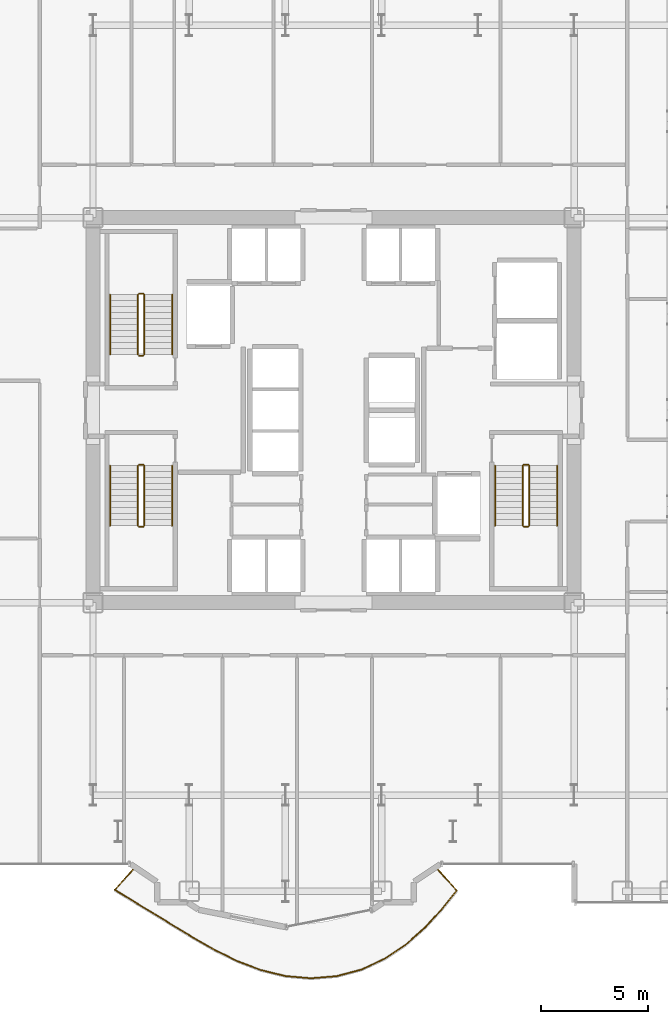
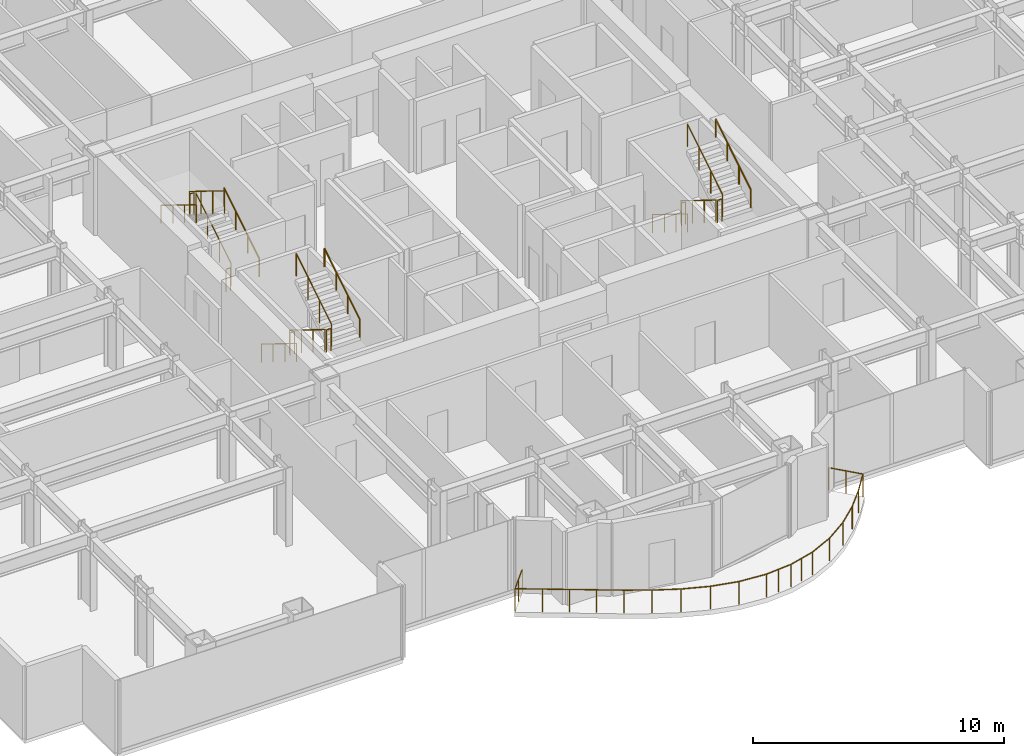
# One storey, part 28 of 29: 19 railings.
"""IFC4 building model written with IfcOpenShell, lengths in metres."""

from ifc_helpers import new_model, si_unit, direction, frame, origin, origin_2d, place, context, subcontext, project, spatial, circle, extrude, material, type_object, element, save


model = new_model("IFC4")

# Units and contexts
model_context = context("Model", 3, precision=1e-05, world=origin(), true_north=direction((0.0, 1.0)))
body_context = subcontext(model_context, "Body", "Model", "MODEL_VIEW")
ifc_project = project(units=[si_unit("LENGTHUNIT", "METRE"), si_unit("AREAUNIT", "SQUARE_METRE"), si_unit("VOLUMEUNIT", "CUBIC_METRE"), si_unit("PLANEANGLEUNIT", "RADIAN"), si_unit("MASSUNIT", "GRAM", prefix="KILO")], contexts=[model_context])

# Site, building, storey
site_placement = place(None, origin())
site = spatial("IfcSite", under=ifc_project, at=site_placement, CompositionType="ELEMENT")
building_placement = place(site_placement, origin())
building = spatial("IfcBuilding", under=site, at=building_placement, Name="Nefas-Gora Pilgrimage Tower", CompositionType="ELEMENT")
storey_placement = place(building_placement, frame((0.0, 0.0, 55.800048828125)))
storey = spatial("IfcBuildingStorey", under=building, at=storey_placement, Name="L12", CompositionType="ELEMENT", Elevation=55.800048828125)

# Railings
ifc_material_1 = material(Name="Laminated safety glass and stainless steel", Category="steel")
railing_type_1 = type_object("IfcRailingType", Name="RLG-BAL-1100", PredefinedType="BALUSTRADE", material=ifc_material_1)
railing_1_placement = place(storey_placement, frame((-9.302490234375, -21.402587890625, 0.0)))
element("IfcRailing", 1, at=railing_1_placement, inside=storey, type_object=railing_type_1, Name="L12 Wave Balcony Balustrade S2", PredefinedType="BALUSTRADE", context=body_context, shape_type="SweptSolid", body=[
    extrude(circle(Radius=0.02392578125, at=origin_2d()), frame((0.0, 0.0, 1.09619140625), z_axis=(-0.669217868333, -0.743066245165, 0.0), x_axis=(0.743066245165, -0.669217868333, 0.0)), (0.0, 0.0, 1.0), 1.38525390625),
    extrude(circle(Radius=0.02392578125, at=origin_2d()), frame((-0.927001953125, -1.029296875, 1.09619140625), z_axis=(0.852658885571, -0.522468013238, 0.0), x_axis=(0.522468013238, 0.852658885571, 0.0)), (0.0, 0.0, 1.0), 1.095703125),
    extrude(circle(Radius=0.02392578125, at=origin_2d()), frame((0.00732421875, -1.601806640625, 1.09619140625), z_axis=(0.855124780813, -0.518422230657, 0.0), x_axis=(0.518422230657, 0.855124780813, 0.0)), (0.0, 0.0, 1.0), 1.077392578125),
    extrude(circle(Radius=0.02392578125, at=origin_2d()), frame((0.9287109375, -2.160400390625, 1.09619140625), z_axis=(0.852777131159, -0.522274989418, 0.0), x_axis=(0.522274989418, 0.852777131159, 0.0)), (0.0, 0.0, 1.0), 1.076904296875),
    extrude(circle(Radius=0.02392578125, at=origin_2d()), frame((1.84716796875, -2.722900390625, 1.09619140625), z_axis=(0.854684994475, -0.519146954358, 0.0), x_axis=(0.519146954358, 0.854684994475, 0.0)), (0.0, 0.0, 1.0), 1.09423828125),
    extrude(circle(Radius=0.02392578125, at=origin_2d()), frame((2.782470703125, -3.291015625, 1.09619140625), z_axis=(0.868857666147, -0.495061971856, 0.0), x_axis=(0.495061971856, 0.868857666147, 0.0)), (0.0, 0.0, 1.0), 1.123291015625),
    extrude(circle(Radius=0.02392578125, at=origin_2d()), frame((3.758544921875, -3.84716796875, 1.09619140625), z_axis=(0.896659173932, -0.442721499142, 0.0), x_axis=(0.442721499142, 0.896659173932, 0.0)), (0.0, 0.0, 1.0), 1.153564453125),
    extrude(circle(Radius=0.02392578125, at=origin_2d()), frame((4.79296875, -4.35791015625, 1.09619140625), z_axis=(0.934122957215, -0.356951398377, 0.0), x_axis=(0.356951398377, 0.934122957215, 0.0)), (0.0, 0.0, 1.0), 1.178466796875),
    extrude(circle(Radius=0.02392578125, at=origin_2d()), frame((5.893798828125, -4.778564453125, 1.09619140625), z_axis=(0.97145249085, -0.237234183922, 0.0), x_axis=(0.237234183922, 0.97145249085, 0.0)), (0.0, 0.0, 1.0), 1.192626953125),
    extrude(circle(Radius=0.02392578125, at=origin_2d()), frame((7.052490234375, -5.0615234375, 1.09619140625), z_axis=(0.99619460159, -0.087156845765, 0.0), x_axis=(0.087156845765, 0.99619460159, 0.0)), (0.0, 0.0, 1.0), 1.198974609375),
    extrude(circle(Radius=0.02392578125, at=origin_2d()), frame((8.246826171875, -5.166015625, 1.09619140625), z_axis=(0.996586307441, 0.082557445587, 0.0), x_axis=(-0.082557445587, 0.996586307441, 0.0)), (0.0, 0.0, 1.0), 1.20068359375),
    extrude(circle(Radius=0.02392578125, at=origin_2d()), frame((9.443359375, -5.06689453125, 1.09619140625), z_axis=(0.966180913081, 0.257865164763, 0.0), x_axis=(-0.257865164763, 0.966180913081, 0.0)), (0.0, 0.0, 1.0), 1.200439453125),
    extrude(circle(Radius=0.02392578125, at=origin_2d()), frame((10.603271484375, -4.75732421875, 1.09619140625), z_axis=(0.907111664378, 0.420890043063, 0.0), x_axis=(-0.420890043063, 0.907111664378, 0.0)), (0.0, 0.0, 1.0), 1.199462890625),
    extrude(circle(Radius=0.02392578125, at=origin_2d()), frame((11.69140625, -4.25244140625, 1.09619140625), z_axis=(0.829780590571, 0.558089752201, 0.0), x_axis=(-0.558089752201, 0.829780590571, 0.0)), (0.0, 0.0, 1.0), 1.195068359375),
    extrude(circle(Radius=0.02392578125, at=origin_2d()), frame((12.68310546875, -3.58544921875, 1.09619140625), z_axis=(0.748330645695, 0.663325896308, 0.0), x_axis=(-0.663325896308, 0.748330645695, 0.0)), (0.0, 0.0, 1.0), 1.183349609375),
    extrude(circle(Radius=0.02392578125, at=origin_2d()), frame((13.568603515625, -2.800537109375, 1.09619140625), z_axis=(0.676400344051, 0.736534163883, 0.0), x_axis=(-0.736534163883, 0.676400344051, 0.0)), (0.0, 0.0, 1.0), 1.1611328125),
    extrude(circle(Radius=0.02392578125, at=origin_2d()), frame((14.35400390625, -1.9453125, 1.09619140625), z_axis=(0.624326656169, 0.781163380092, 0.0), x_axis=(-0.781163380092, 0.624326656169, 0.0)), (0.0, 0.0, 1.0), 1.131591796875),
    extrude(circle(Radius=0.02392578125, at=origin_2d()), frame((15.060546875, -1.061279296875, 1.09619140625), z_axis=(-0.669125283262, 0.743149618381, 0.0), x_axis=(-0.743149618381, -0.669125283262, 0.0)), (0.0, 0.0, 1.0), 1.427978515625),
    extrude(circle(Radius=0.02099609375, at=origin_2d()), origin(), (0.0, 0.0, 1.0), 1.072021484375),
    extrude(circle(Radius=0.02099609375, at=origin_2d()), frame((-0.46337890625, -0.5146484375, 0.0)), (0.0, 0.0, 1.0), 1.072021484375),
    extrude(circle(Radius=0.02099609375, at=origin_2d()), frame((-0.927001953125, -1.029296875, 0.0)), (0.0, 0.0, 1.0), 1.072021484375),
    extrude(circle(Radius=0.02099609375, at=origin_2d()), frame((0.00732421875, -1.601806640625, 0.0)), (0.0, 0.0, 1.0), 1.072021484375),
    extrude(circle(Radius=0.02099609375, at=origin_2d()), frame((0.9287109375, -2.160400390625, 0.0)), (0.0, 0.0, 1.0), 1.072021484375),
    extrude(circle(Radius=0.02099609375, at=origin_2d()), frame((1.84716796875, -2.722900390625, 0.0)), (0.0, 0.0, 1.0), 1.072021484375),
    extrude(circle(Radius=0.02099609375, at=origin_2d()), frame((2.782470703125, -3.291015625, 0.0)), (0.0, 0.0, 1.0), 1.072021484375),
    extrude(circle(Radius=0.02099609375, at=origin_2d()), frame((3.758544921875, -3.84716796875, 0.0)), (0.0, 0.0, 1.0), 1.072021484375),
    extrude(circle(Radius=0.02099609375, at=origin_2d()), frame((4.79296875, -4.35791015625, 0.0)), (0.0, 0.0, 1.0), 1.072021484375),
    extrude(circle(Radius=0.02099609375, at=origin_2d()), frame((5.893798828125, -4.778564453125, 0.0)), (0.0, 0.0, 1.0), 1.072021484375),
    extrude(circle(Radius=0.02099609375, at=origin_2d()), frame((7.052490234375, -5.0615234375, 0.0)), (0.0, 0.0, 1.0), 1.072021484375),
    extrude(circle(Radius=0.02099609375, at=origin_2d()), frame((8.246826171875, -5.166015625, 0.0)), (0.0, 0.0, 1.0), 1.072021484375),
    extrude(circle(Radius=0.02099609375, at=origin_2d()), frame((8.84521484375, -5.116455078125, 0.0)), (0.0, 0.0, 1.0), 1.072021484375),
    extrude(circle(Radius=0.02099609375, at=origin_2d()), frame((9.443359375, -5.06689453125, 0.0)), (0.0, 0.0, 1.0), 1.072021484375),
    extrude(circle(Radius=0.02099609375, at=origin_2d()), frame((10.0234375, -4.912109375, 0.0)), (0.0, 0.0, 1.0), 1.072021484375),
    extrude(circle(Radius=0.02099609375, at=origin_2d()), frame((10.603271484375, -4.75732421875, 0.0)), (0.0, 0.0, 1.0), 1.072021484375),
    extrude(circle(Radius=0.02099609375, at=origin_2d()), frame((11.69140625, -4.25244140625, 0.0)), (0.0, 0.0, 1.0), 1.072021484375),
    extrude(circle(Radius=0.02099609375, at=origin_2d()), frame((12.68310546875, -3.58544921875, 0.0)), (0.0, 0.0, 1.0), 1.072021484375),
    extrude(circle(Radius=0.02099609375, at=origin_2d()), frame((13.568603515625, -2.800537109375, 0.0)), (0.0, 0.0, 1.0), 1.072021484375),
    extrude(circle(Radius=0.02099609375, at=origin_2d()), frame((14.35400390625, -1.9453125, 0.0)), (0.0, 0.0, 1.0), 1.072021484375),
    extrude(circle(Radius=0.02099609375, at=origin_2d()), frame((15.060546875, -1.061279296875, 0.0)), (0.0, 0.0, 1.0), 1.072021484375),
    extrude(circle(Radius=0.02099609375, at=origin_2d()), frame((14.582763671875, -0.53076171875, 0.0)), (0.0, 0.0, 1.0), 1.072021484375),
    extrude(circle(Radius=0.02099609375, at=origin_2d()), frame((14.10498046875, 0.0, 0.0)), (0.0, 0.0, 1.0), 1.072021484375),
])
ifc_material_2 = material(Name="Painted galvanised steel", Category="steel")
railing_type_2 = type_object("IfcRailingType", Name="RLG-STR-GUARD-1100", PredefinedType="GUARDRAIL", material=ifc_material_2)
railing_2_placement = place(storey_placement, frame((-8.85009765625, 2.60009765625, 0.172607421875)))
element("IfcRailing", 2, at=railing_2_placement, inside=storey, type_object=railing_type_2, Name="L12 ST-01 stair guard 1", PredefinedType="GUARDRAIL", context=body_context, shape_type="SweptSolid", body=[
    extrude(circle(Radius=0.02392578125, at=origin_2d()), frame((0.0, 0.0, 1.09619140625), z_axis=(0.0, 0.851069175582, 0.525053576669), x_axis=(-1.0, 0.0, 0.0)), (0.0, 0.0, 1.0), 3.289794921875),
    extrude(circle(Radius=0.02099609375, at=origin_2d()), origin(), (0.0, 0.0, 1.0), 1.072021484375),
    extrude(circle(Radius=0.02099609375, at=origin_2d()), frame((0.0, 0.933349609375, 0.57568359375)), (0.0, 0.0, 1.0), 1.072021484375),
    extrude(circle(Radius=0.02099609375, at=origin_2d()), frame((0.0, 1.866455078125, 1.151611328125)), (0.0, 0.0, 1.0), 1.072021484375),
    extrude(circle(Radius=0.02099609375, at=origin_2d()), frame((0.0, 2.7998046875, 1.727294921875)), (0.0, 0.0, 1.0), 1.072021484375),
])
railing_3_placement = place(storey_placement, frame((-8.89990234375, 5.449951171875, 1.89990234375)))
element("IfcRailing", 3, at=railing_3_placement, inside=storey, type_object=railing_type_2, Name="L12 ST-01 stair guard 2", PredefinedType="GUARDRAIL", context=body_context, shape_type="SweptSolid", body=[
    extrude(circle(Radius=0.02392578125, at=origin_2d()), frame((0.0, 0.0, 1.09619140625), z_axis=(-1.0, 0.0, 0.0), x_axis=(0.0, -1.0, 0.0)), (0.0, 0.0, 1.0), 0.2001953125),
    extrude(circle(Radius=0.02099609375, at=origin_2d()), origin(), (0.0, 0.0, 1.0), 1.072021484375),
    extrude(circle(Radius=0.02099609375, at=origin_2d()), frame((-0.2001953125, 0.0, 0.0)), (0.0, 0.0, 1.0), 1.072021484375),
])
railing_4_placement = place(storey_placement, frame((-9.14990234375, 5.39990234375, 2.07275390625)))
element("IfcRailing", 4, at=railing_4_placement, inside=storey, type_object=railing_type_2, Name="L12 ST-01 stair guard 3", PredefinedType="GUARDRAIL", context=body_context, shape_type="SweptSolid", body=[
    extrude(circle(Radius=0.02392578125, at=origin_2d()), frame((0.0, 0.0, 1.09619140625), z_axis=(0.0, -0.851069175582, 0.525053576669), x_axis=(1.0, 0.0, 0.0)), (0.0, 0.0, 1.0), 3.289794921875),
    extrude(circle(Radius=0.02099609375, at=origin_2d()), origin(), (0.0, 0.0, 1.0), 1.072021484375),
    extrude(circle(Radius=0.02099609375, at=origin_2d()), frame((0.0, -0.933349609375, 0.57568359375)), (0.0, 0.0, 1.0), 1.072021484375),
    extrude(circle(Radius=0.02099609375, at=origin_2d()), frame((0.0, -1.866455078125, 1.151611328125)), (0.0, 0.0, 1.0), 1.072021484375),
    extrude(circle(Radius=0.02099609375, at=origin_2d()), frame((0.0, -2.7998046875, 1.727294921875)), (0.0, 0.0, 1.0), 1.072021484375),
])
railing_5_placement = place(storey_placement, frame((-8.89990234375, 2.550048828125, 0.0)))
element("IfcRailing", 5, at=railing_5_placement, inside=storey, type_object=railing_type_2, Name="L12 ST-01 stair guard 4", PredefinedType="GUARDRAIL", context=body_context, shape_type="SweptSolid", body=[
    extrude(circle(Radius=0.02392578125, at=origin_2d()), frame((0.0, 0.0, 1.09619140625), z_axis=(-1.0, 0.0, 0.0), x_axis=(0.0, -1.0, 0.0)), (0.0, 0.0, 1.0), 0.2001953125),
    extrude(circle(Radius=0.02099609375, at=origin_2d()), origin(), (0.0, 0.0, 1.0), 1.072021484375),
    extrude(circle(Radius=0.02099609375, at=origin_2d()), frame((-0.2001953125, 0.0, 0.0)), (0.0, 0.0, 1.0), 1.072021484375),
])
railing_6_placement = place(storey_placement, frame((8.85009765625, -2.60009765625, 0.172607421875)))
element("IfcRailing", 6, at=railing_6_placement, inside=storey, type_object=railing_type_2, Name="L12 ST-02 stair guard 1", PredefinedType="GUARDRAIL", context=body_context, shape_type="SweptSolid", body=[
    extrude(circle(Radius=0.02392578125, at=origin_2d()), frame((0.0, 0.0, 1.09619140625), z_axis=(0.0, -0.851069175582, 0.525053576669), x_axis=(1.0, 0.0, 0.0)), (0.0, 0.0, 1.0), 3.289794921875),
    extrude(circle(Radius=0.02099609375, at=origin_2d()), origin(), (0.0, 0.0, 1.0), 1.072021484375),
    extrude(circle(Radius=0.02099609375, at=origin_2d()), frame((0.0, -0.933349609375, 0.57568359375)), (0.0, 0.0, 1.0), 1.072021484375),
    extrude(circle(Radius=0.02099609375, at=origin_2d()), frame((0.0, -1.866455078125, 1.151611328125)), (0.0, 0.0, 1.0), 1.072021484375),
    extrude(circle(Radius=0.02099609375, at=origin_2d()), frame((0.0, -2.7998046875, 1.727294921875)), (0.0, 0.0, 1.0), 1.072021484375),
])
railing_7_placement = place(storey_placement, frame((8.89990234375, -5.449951171875, 1.89990234375)))
element("IfcRailing", 7, at=railing_7_placement, inside=storey, type_object=railing_type_2, Name="L12 ST-02 stair guard 2", PredefinedType="GUARDRAIL", context=body_context, shape_type="SweptSolid", body=[
    extrude(circle(Radius=0.02392578125, at=origin_2d()), frame((0.0, 0.0, 1.09619140625), z_axis=(1.0, 0.0, 0.0), x_axis=(0.0, 1.0, 0.0)), (0.0, 0.0, 1.0), 0.2001953125),
    extrude(circle(Radius=0.02099609375, at=origin_2d()), origin(), (0.0, 0.0, 1.0), 1.072021484375),
    extrude(circle(Radius=0.02099609375, at=origin_2d()), frame((0.2001953125, 0.0, 0.0)), (0.0, 0.0, 1.0), 1.072021484375),
])
railing_8_placement = place(storey_placement, frame((9.14990234375, -5.39990234375, 2.07275390625)))
element("IfcRailing", 8, at=railing_8_placement, inside=storey, type_object=railing_type_2, Name="L12 ST-02 stair guard 3", PredefinedType="GUARDRAIL", context=body_context, shape_type="SweptSolid", body=[
    extrude(circle(Radius=0.02392578125, at=origin_2d()), frame((0.0, 0.0, 1.09619140625), z_axis=(0.0, 0.851069175582, 0.525053576669), x_axis=(-1.0, 0.0, 0.0)), (0.0, 0.0, 1.0), 3.289794921875),
    extrude(circle(Radius=0.02099609375, at=origin_2d()), origin(), (0.0, 0.0, 1.0), 1.072021484375),
    extrude(circle(Radius=0.02099609375, at=origin_2d()), frame((0.0, 0.933349609375, 0.57568359375)), (0.0, 0.0, 1.0), 1.072021484375),
    extrude(circle(Radius=0.02099609375, at=origin_2d()), frame((0.0, 1.866455078125, 1.151611328125)), (0.0, 0.0, 1.0), 1.072021484375),
    extrude(circle(Radius=0.02099609375, at=origin_2d()), frame((0.0, 2.7998046875, 1.727294921875)), (0.0, 0.0, 1.0), 1.072021484375),
])
railing_9_placement = place(storey_placement, frame((8.89990234375, -2.550048828125, 0.0)))
element("IfcRailing", 9, at=railing_9_placement, inside=storey, type_object=railing_type_2, Name="L12 ST-02 stair guard 4", PredefinedType="GUARDRAIL", context=body_context, shape_type="SweptSolid", body=[
    extrude(circle(Radius=0.02392578125, at=origin_2d()), frame((0.0, 0.0, 1.09619140625), z_axis=(1.0, 0.0, 0.0), x_axis=(0.0, 1.0, 0.0)), (0.0, 0.0, 1.0), 0.2001953125),
    extrude(circle(Radius=0.02099609375, at=origin_2d()), origin(), (0.0, 0.0, 1.0), 1.072021484375),
    extrude(circle(Radius=0.02099609375, at=origin_2d()), frame((0.2001953125, 0.0, 0.0)), (0.0, 0.0, 1.0), 1.072021484375),
])
railing_10_placement = place(storey_placement, frame((-9.14990234375, -2.60009765625, 0.172607421875)))
element("IfcRailing", 10, at=railing_10_placement, inside=storey, type_object=railing_type_2, Name="L12 ST-03 stair guard 1", PredefinedType="GUARDRAIL", context=body_context, shape_type="SweptSolid", body=[
    extrude(circle(Radius=0.02392578125, at=origin_2d()), frame((0.0, 0.0, 1.09619140625), z_axis=(0.0, -0.851069175582, 0.525053576669), x_axis=(1.0, 0.0, 0.0)), (0.0, 0.0, 1.0), 3.289794921875),
    extrude(circle(Radius=0.02099609375, at=origin_2d()), origin(), (0.0, 0.0, 1.0), 1.072021484375),
    extrude(circle(Radius=0.02099609375, at=origin_2d()), frame((0.0, -0.933349609375, 0.57568359375)), (0.0, 0.0, 1.0), 1.072021484375),
    extrude(circle(Radius=0.02099609375, at=origin_2d()), frame((0.0, -1.866455078125, 1.151611328125)), (0.0, 0.0, 1.0), 1.072021484375),
    extrude(circle(Radius=0.02099609375, at=origin_2d()), frame((0.0, -2.7998046875, 1.727294921875)), (0.0, 0.0, 1.0), 1.072021484375),
])
railing_11_placement = place(storey_placement, frame((-9.10009765625, -5.449951171875, 1.89990234375)))
element("IfcRailing", 11, at=railing_11_placement, inside=storey, type_object=railing_type_2, Name="L12 ST-03 stair guard 2", PredefinedType="GUARDRAIL", context=body_context, shape_type="SweptSolid", body=[
    extrude(circle(Radius=0.02392578125, at=origin_2d()), frame((0.0, 0.0, 1.09619140625), z_axis=(1.0, 0.0, 0.0), x_axis=(0.0, 1.0, 0.0)), (0.0, 0.0, 1.0), 0.2001953125),
    extrude(circle(Radius=0.02099609375, at=origin_2d()), origin(), (0.0, 0.0, 1.0), 1.072021484375),
    extrude(circle(Radius=0.02099609375, at=origin_2d()), frame((0.2001953125, 0.0, 0.0)), (0.0, 0.0, 1.0), 1.072021484375),
])
railing_12_placement = place(storey_placement, frame((-8.85009765625, -5.39990234375, 2.07275390625)))
element("IfcRailing", 12, at=railing_12_placement, inside=storey, type_object=railing_type_2, Name="L12 ST-03 stair guard 3", PredefinedType="GUARDRAIL", context=body_context, shape_type="SweptSolid", body=[
    extrude(circle(Radius=0.02392578125, at=origin_2d()), frame((0.0, 0.0, 1.09619140625), z_axis=(0.0, 0.851069175582, 0.525053576669), x_axis=(-1.0, 0.0, 0.0)), (0.0, 0.0, 1.0), 3.289794921875),
    extrude(circle(Radius=0.02099609375, at=origin_2d()), origin(), (0.0, 0.0, 1.0), 1.072021484375),
    extrude(circle(Radius=0.02099609375, at=origin_2d()), frame((0.0, 0.933349609375, 0.57568359375)), (0.0, 0.0, 1.0), 1.072021484375),
    extrude(circle(Radius=0.02099609375, at=origin_2d()), frame((0.0, 1.866455078125, 1.151611328125)), (0.0, 0.0, 1.0), 1.072021484375),
    extrude(circle(Radius=0.02099609375, at=origin_2d()), frame((0.0, 2.7998046875, 1.727294921875)), (0.0, 0.0, 1.0), 1.072021484375),
])
railing_13_placement = place(storey_placement, frame((-9.10009765625, -2.550048828125, 0.0)))
element("IfcRailing", 13, at=railing_13_placement, inside=storey, type_object=railing_type_2, Name="L12 ST-03 stair guard 4", PredefinedType="GUARDRAIL", context=body_context, shape_type="SweptSolid", body=[
    extrude(circle(Radius=0.02392578125, at=origin_2d()), frame((0.0, 0.0, 1.09619140625), z_axis=(1.0, 0.0, 0.0), x_axis=(0.0, 1.0, 0.0)), (0.0, 0.0, 1.0), 0.2001953125),
    extrude(circle(Radius=0.02099609375, at=origin_2d()), origin(), (0.0, 0.0, 1.0), 1.072021484375),
    extrude(circle(Radius=0.02099609375, at=origin_2d()), frame((0.2001953125, 0.0, 0.0)), (0.0, 0.0, 1.0), 1.072021484375),
])
ifc_material_3 = material(Name="Brushed stainless steel", Category="steel")
railing_type_3 = type_object("IfcRailingType", Name="RLG-STR-HAND-900", PredefinedType="HANDRAIL", material=ifc_material_3)
railing_14_placement = place(storey_placement, frame((-7.550048828125, 2.60009765625, 0.172607421875)))
element("IfcRailing", 14, at=railing_14_placement, inside=storey, type_object=railing_type_3, Name="L12 ST-01 stair handrail 1", PredefinedType="HANDRAIL", context=body_context, shape_type="SweptSolid", body=[
    extrude(circle(Radius=0.02392578125, at=origin_2d()), frame((0.0, 0.0, 0.8759765625), z_axis=(0.0, 0.851069175582, 0.525053576669), x_axis=(-1.0, 0.0, 0.0)), (0.0, 0.0, 1.0), 3.289794921875),
    extrude(circle(Radius=0.02099609375, at=origin_2d()), origin(), (0.0, 0.0, 1.0), 0.851806640625),
    extrude(circle(Radius=0.02099609375, at=origin_2d()), frame((0.0, 0.933349609375, 0.57568359375)), (0.0, 0.0, 1.0), 0.851806640625),
    extrude(circle(Radius=0.02099609375, at=origin_2d()), frame((0.0, 1.866455078125, 1.151611328125)), (0.0, 0.0, 1.0), 0.851806640625),
    extrude(circle(Radius=0.02099609375, at=origin_2d()), frame((0.0, 2.7998046875, 1.727294921875)), (0.0, 0.0, 1.0), 0.851806640625),
])
for number, where, name in (
    (15, (-10.449951171875, 5.39990234375, 2.07275390625), "L12 ST-01 stair handrail 2"),
    (16, (7.550048828125, -2.60009765625, 0.172607421875), "L12 ST-02 stair handrail 1"),
):
    element("IfcRailing", number, at=place(storey_placement, frame(where)), inside=storey, type_object=railing_type_3, Name=name, PredefinedType="HANDRAIL", context=body_context, shape_type="SweptSolid", body=[
        extrude(circle(Radius=0.02392578125, at=origin_2d()), frame((0.0, 0.0, 0.8759765625), z_axis=(0.0, -0.851069175582, 0.525053576669), x_axis=(1.0, 0.0, 0.0)), (0.0, 0.0, 1.0), 3.289794921875),
        extrude(circle(Radius=0.02099609375, at=origin_2d()), origin(), (0.0, 0.0, 1.0), 0.851806640625),
        extrude(circle(Radius=0.02099609375, at=origin_2d()), frame((0.0, -0.933349609375, 0.57568359375)), (0.0, 0.0, 1.0), 0.851806640625),
        extrude(circle(Radius=0.02099609375, at=origin_2d()), frame((0.0, -1.866455078125, 1.151611328125)), (0.0, 0.0, 1.0), 0.851806640625),
        extrude(circle(Radius=0.02099609375, at=origin_2d()), frame((0.0, -2.7998046875, 1.727294921875)), (0.0, 0.0, 1.0), 0.851806640625),
    ])
railing_15_placement = place(storey_placement, frame((10.449951171875, -5.39990234375, 2.07275390625)))
element("IfcRailing", 17, at=railing_15_placement, inside=storey, type_object=railing_type_3, Name="L12 ST-02 stair handrail 2", PredefinedType="HANDRAIL", context=body_context, shape_type="SweptSolid", body=[
    extrude(circle(Radius=0.02392578125, at=origin_2d()), frame((0.0, 0.0, 0.8759765625), z_axis=(0.0, 0.851069175582, 0.525053576669), x_axis=(-1.0, 0.0, 0.0)), (0.0, 0.0, 1.0), 3.289794921875),
    extrude(circle(Radius=0.02099609375, at=origin_2d()), origin(), (0.0, 0.0, 1.0), 0.851806640625),
    extrude(circle(Radius=0.02099609375, at=origin_2d()), frame((0.0, 0.933349609375, 0.57568359375)), (0.0, 0.0, 1.0), 0.851806640625),
    extrude(circle(Radius=0.02099609375, at=origin_2d()), frame((0.0, 1.866455078125, 1.151611328125)), (0.0, 0.0, 1.0), 0.851806640625),
    extrude(circle(Radius=0.02099609375, at=origin_2d()), frame((0.0, 2.7998046875, 1.727294921875)), (0.0, 0.0, 1.0), 0.851806640625),
])
railing_16_placement = place(storey_placement, frame((-10.449951171875, -2.60009765625, 0.172607421875)))
element("IfcRailing", 18, at=railing_16_placement, inside=storey, type_object=railing_type_3, Name="L12 ST-03 stair handrail 1", PredefinedType="HANDRAIL", context=body_context, shape_type="SweptSolid", body=[
    extrude(circle(Radius=0.02392578125, at=origin_2d()), frame((0.0, 0.0, 0.8759765625), z_axis=(0.0, -0.851069175582, 0.525053576669), x_axis=(1.0, 0.0, 0.0)), (0.0, 0.0, 1.0), 3.289794921875),
    extrude(circle(Radius=0.02099609375, at=origin_2d()), origin(), (0.0, 0.0, 1.0), 0.851806640625),
    extrude(circle(Radius=0.02099609375, at=origin_2d()), frame((0.0, -0.933349609375, 0.57568359375)), (0.0, 0.0, 1.0), 0.851806640625),
    extrude(circle(Radius=0.02099609375, at=origin_2d()), frame((0.0, -1.866455078125, 1.151611328125)), (0.0, 0.0, 1.0), 0.851806640625),
    extrude(circle(Radius=0.02099609375, at=origin_2d()), frame((0.0, -2.7998046875, 1.727294921875)), (0.0, 0.0, 1.0), 0.851806640625),
])
railing_17_placement = place(storey_placement, frame((-7.550048828125, -5.39990234375, 2.07275390625)))
element("IfcRailing", 19, at=railing_17_placement, inside=storey, type_object=railing_type_3, Name="L12 ST-03 stair handrail 2", PredefinedType="HANDRAIL", context=body_context, shape_type="SweptSolid", body=[
    extrude(circle(Radius=0.02392578125, at=origin_2d()), frame((0.0, 0.0, 0.8759765625), z_axis=(0.0, 0.851069175582, 0.525053576669), x_axis=(-1.0, 0.0, 0.0)), (0.0, 0.0, 1.0), 3.289794921875),
    extrude(circle(Radius=0.02099609375, at=origin_2d()), origin(), (0.0, 0.0, 1.0), 0.851806640625),
    extrude(circle(Radius=0.02099609375, at=origin_2d()), frame((0.0, 0.933349609375, 0.57568359375)), (0.0, 0.0, 1.0), 0.851806640625),
    extrude(circle(Radius=0.02099609375, at=origin_2d()), frame((0.0, 1.866455078125, 1.151611328125)), (0.0, 0.0, 1.0), 0.851806640625),
    extrude(circle(Radius=0.02099609375, at=origin_2d()), frame((0.0, 2.7998046875, 1.727294921875)), (0.0, 0.0, 1.0), 0.851806640625),
])

save(model, "model.ifc")
